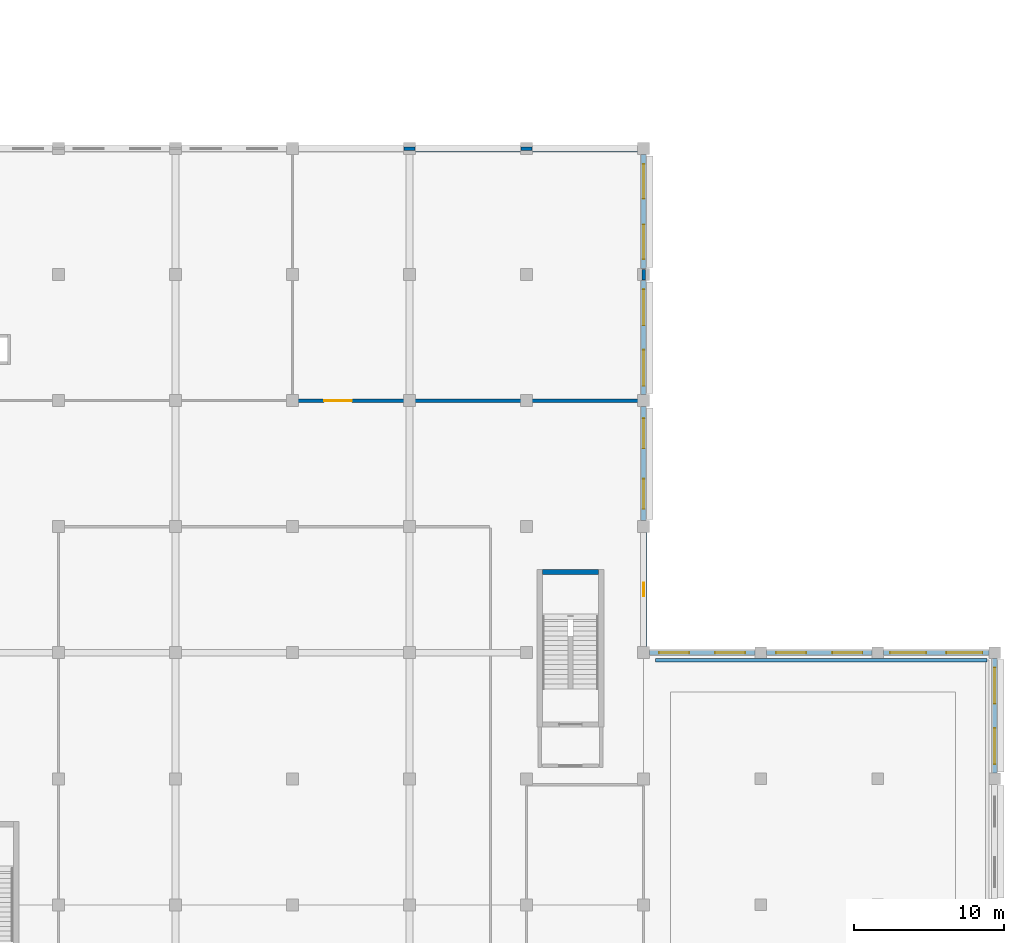
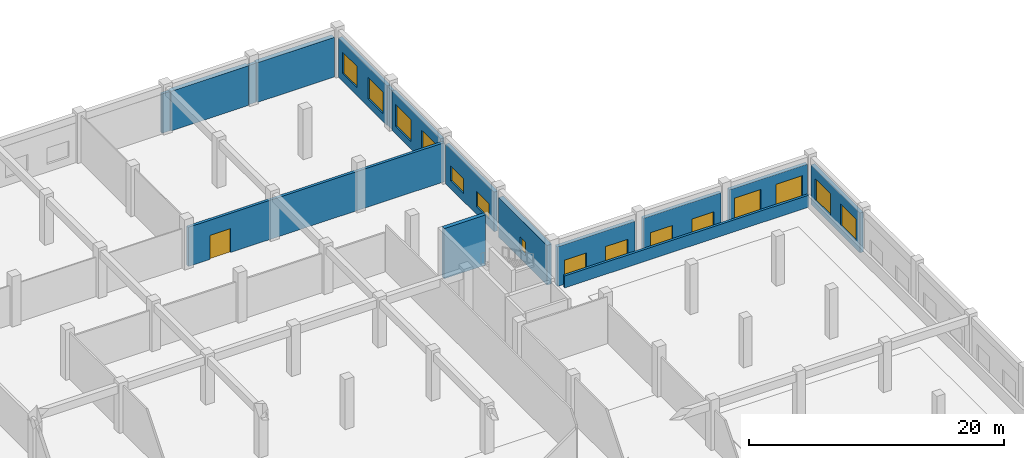
# One storey, part 51 of 62: 16 walls, 15 windows, 1 door, 16 openings.
"""IFC4 building model written with IfcOpenShell, lengths in metres."""

from ifc_helpers import new_model, si_unit, direction, frame, frame_2d, origin, place, context, subcontext, project, spatial, rectangle, extrude, material, layer, layer_set, type_object, element, fill, save


model = new_model("IFC4")

# Units and contexts
model_context = context("Model", 3, precision=1e-05, world=origin(), true_north=direction((0.0, 1.0)))
body_context = subcontext(model_context, "Body", "Model", "MODEL_VIEW")
ifc_project = project(units=[si_unit("LENGTHUNIT", "METRE"), si_unit("AREAUNIT", "SQUARE_METRE"), si_unit("VOLUMEUNIT", "CUBIC_METRE"), si_unit("PLANEANGLEUNIT", "RADIAN"), si_unit("MASSUNIT", "GRAM", prefix="KILO"), si_unit("THERMODYNAMICTEMPERATUREUNIT", "KELVIN"), si_unit("POWERUNIT", "WATT")], contexts=[model_context])

# Site, building, storey
site_placement = place(None, origin())
site = spatial("IfcSite", under=ifc_project, at=site_placement, CompositionType="ELEMENT")
building_placement = place(site_placement, origin())
building = spatial("IfcBuilding", under=site, at=building_placement, Name="Srebrne Nadtorze General Hospital", CompositionType="ELEMENT")
storey_placement = place(building_placement, frame((0.0, 0.0, 9.60009765625)))
storey = spatial("IfcBuildingStorey", under=building, at=storey_placement, Name="L02", CompositionType="ELEMENT", Elevation=9.60009765625)

# Walls
ifc_material_1 = material(Name="Concrete C40/50", Category="concrete")
ifc_layer_1 = layer(ifc_material_1, 0.419921875)
ifc_layer_set_1 = layer_set([ifc_layer_1], Name="Concrete C40/50")
wall_type_1 = type_object("IfcWallType", Name="Acoustic buffer wall 420", PredefinedType="SOLIDWALL", material=ifc_layer_set_1)
for number, where, z_axis, x_axis, name in (
    (1, (133.0, 109.199951171875, 0.0), (0.0, 0.0, 1.0), (1.0, 0.0, 0.0), "Exterior wall WL-ENV-L02-0234"),
    (2, (140.800048828125, 109.199951171875, 0.0), (0.0, 0.0, 1.0), (1.0, 0.0, 0.0), "Exterior wall WL-ENV-L02-0235"),
):
    element("IfcWall", number, at=place(storey_placement, frame(where, z_axis=z_axis, x_axis=x_axis)), inside=storey, type_object=wall_type_1, Name=name, PredefinedType="SOLIDWALL", context=body_context, shape_type="SweptSolid", body=[
        extrude(rectangle(XDim=7.0, YDim=0.419921875, at=frame_2d((3.5, 0.0))), origin(), (0.0, 0.0, 1.0), 3.7998046875),
    ])

# Wall, opening, window
wall_1_placement = place(storey_placement, frame((148.199951171875, 76.0, 0.0), z_axis=(0.0, 0.0, 1.0), x_axis=(0.0, 1.0, 0.0)))
wall_1 = element("IfcWall", 3, at=wall_1_placement, inside=storey, type_object=wall_type_1, Name="Exterior wall WL-ENV-L02-0273", PredefinedType="SOLIDWALL", context=body_context, shape_type="SweptSolid", body=[
    extrude(rectangle(XDim=7.60009765625, YDim=0.419921875, at=frame_2d((3.800048828125, 0.0))), origin(), (0.0, 0.0, 1.0), 3.7998046875),
])
opening_1_placement = place(wall_1_placement, frame((3.35009765625, 0.0, 0.75)))
opening_1 = element("IfcOpeningElement", 4, at=opening_1_placement, cuts=wall_1, Name="Opening WN-L02-0368", PredefinedType="OPENING", context=body_context, shape_type="SweptSolid", body=[
    extrude(rectangle(XDim=0.89990234375, YDim=1.300048828125, at=frame_2d((0.449951171875, 0.64990234375))), frame((0.0, 0.221923828125, 0.0), z_axis=(0.0, -1.0, 0.0), x_axis=(1.0, 0.0, 0.0)), (0.0, 0.0, 1.0), 0.44384765625),
])
ifc_material_2 = material(Name="Triple Low-E Glazing", Category="glass")
window_type_1 = type_object("IfcWindowType", Name="Punched clinical window 900x1300", PartitioningType="SINGLE_PANEL", PredefinedType="WINDOW", material=ifc_material_2)
window_1_placement = place(opening_1_placement, origin())
window_1 = element("IfcWindow", 5, at=window_1_placement, inside=storey, type_object=window_type_1, Name="Clinical window WN-L02-0368", OverallHeight=1.300048828125, OverallWidth=0.89990234375, PartitioningType="SINGLE_PANEL", PredefinedType="WINDOW", context=body_context, shape_type="SweptSolid", body=[
    extrude(rectangle(XDim=0.89990234375, YDim=1.300048828125, at=frame_2d((0.449951171875, 0.64990234375))), frame((0.0, 0.030029296875, 0.0), z_axis=(0.0, -1.0, 0.0), x_axis=(1.0, 0.0, 0.0)), (0.0, 0.0, 1.0), 0.06005859375),
])
fill(opening_1, window_1)

# Wall, opening, door
ifc_material_3 = material(Name="Gypsum Healthcare Partition")
ifc_layer_2 = layer(ifc_material_3, 0.239990234375)
ifc_layer_set_2 = layer_set([ifc_layer_2], Name="Gypsum Healthcare Partition")
wall_type_2 = type_object("IfcWallType", Name="Corridor fire wall 240", PredefinedType="STANDARD", material=ifc_layer_set_2)
wall_2_placement = place(storey_placement, frame((124.909912109375, 92.39990234375, 0.0), z_axis=(0.0, 0.0, 1.0), x_axis=(1.0, 0.0, 0.0)))
wall_2 = element("IfcWall", 6, at=wall_2_placement, inside=storey, type_object=wall_type_2, Name="Standby Boiler and Clean Steam Plant Room wall WL-INT-L02-1546", PredefinedType="STANDARD", context=body_context, shape_type="SweptSolid", body=[
    extrude(rectangle(XDim=23.18017578125, YDim=0.239990234375, at=frame_2d((11.590087890625, 0.0))), origin(), (0.0, 0.0, 1.0), 3.75),
])
opening_2_placement = place(wall_2_placement, frame((1.98583984375, 0.0, 0.0)))
opening_2 = element("IfcOpeningElement", 7, at=opening_2_placement, cuts=wall_2, Name="Opening D-L02-0250", PredefinedType="OPENING", context=body_context, shape_type="SweptSolid", body=[
    extrude(rectangle(XDim=1.85009765625, YDim=2.300048828125, at=frame_2d((0.925048828125, 1.14990234375))), frame((0.0, 0.1318359375, 0.0), z_axis=(0.0, -1.0, 0.0), x_axis=(1.0, 0.0, 0.0)), (0.0, 0.0, 1.0), 0.263916015625),
])
ifc_material_4 = material(Name="Anodised Aluminium", Category="aluminium")
door_type = type_object("IfcDoorType", Name="Double leaf door 1850x2300", OperationType="DOUBLE_DOOR_SINGLE_SWING", PredefinedType="DOOR", material=ifc_material_4)
door_placement = place(opening_2_placement, origin())
door = element("IfcDoor", 8, at=door_placement, inside=storey, type_object=door_type, Name="Standby Boiler and Clean Steam Plant Room door D-L02-0250", OperationType="DOUBLE_DOOR_SINGLE_SWING", OverallHeight=2.300048828125, OverallWidth=1.85009765625, PredefinedType="DOOR", context=body_context, shape_type="SweptSolid", body=[
    extrude(rectangle(XDim=1.85009765625, YDim=2.300048828125, at=frame_2d((0.925048828125, 1.14990234375))), frame((0.0, 0.02490234375, 0.0), z_axis=(0.0, -1.0, 0.0), x_axis=(1.0, 0.0, 0.0)), (0.0, 0.0, 1.0), 0.050048828125),
])
fill(opening_2, door)

# Walls
for number, where, z_axis, x_axis, name in (
    (9, (132.239990234375, 109.199951171875, 0.0), (0.0, 0.0, 1.0), (1.0, 0.0, 0.0), "Standby Boiler and Clean Steam Plant Room wall WL-INT-L02-1547"),
    (10, (140.0400390625, 109.199951171875, 0.0), (0.0, 0.0, 1.0), (1.0, 0.0, 0.0), "Standby Boiler and Clean Steam Plant Room wall WL-INT-L02-1548"),
    (11, (148.199951171875, 100.43994140625, 0.0), (0.0, 0.0, 1.0), (0.0, 1.0, 0.0), "Standby Boiler and Clean Steam Plant Room wall WL-INT-L02-1549"),
):
    element("IfcWall", number, at=place(storey_placement, frame(where, z_axis=z_axis, x_axis=x_axis)), inside=storey, type_object=wall_type_2, Name=name, PredefinedType="STANDARD", context=body_context, shape_type="SweptSolid", body=[
        extrude(rectangle(XDim=0.719970703125, YDim=0.239990234375, at=frame_2d((0.35986328125, 0.0))), origin(), (0.0, 0.0, 1.0), 3.75),
    ])
ifc_material_5 = material(Name="Concrete C35/45 precast", Category="concrete")
ifc_layer_3 = layer(ifc_material_5, 0.219970703125)
ifc_layer_set_3 = layer_set([ifc_layer_3], Name="Concrete C35/45 precast")
wall_type_3 = type_object("IfcWallType", Name="Roof parapet wall 220", PredefinedType="PARAPET", material=ifc_layer_set_3)
wall_3_placement = place(storey_placement, frame((149.0, 75.10009765625, 0.0), z_axis=(0.0, 0.0, 1.0), x_axis=(1.0, 0.0, 0.0)))
element("IfcWall", 12, at=wall_3_placement, inside=storey, type_object=wall_type_3, Name="Roof parapet wall WP-L02-06", PredefinedType="PARAPET", context=body_context, shape_type="SweptSolid", body=[
    extrude(rectangle(XDim=22.10009765625, YDim=0.219970703125, at=frame_2d((11.050048828125, 0.0))), origin(), (0.0, 0.0, 1.0), 1.14990234375),
])
ifc_material_6 = material(Name="Concrete C40/50", Category="concrete")
ifc_layer_4 = layer(ifc_material_6, 0.35009765625)
ifc_layer_set_4 = layer_set([ifc_layer_4], Name="Concrete C40/50")
wall_type_4 = type_object("IfcWallType", Name="Shear core wall 350", PredefinedType="SHEAR", material=ifc_layer_set_4)
wall_4_placement = place(storey_placement, frame((141.449951171875, 80.97509765625, 0.0), z_axis=(0.0, 0.0, 1.0), x_axis=(1.0, 0.0, 0.0)))
element("IfcWall", 13, at=wall_4_placement, inside=storey, type_object=wall_type_4, Name="Stair core wall ST-04 WL-INT-L02-0219", PredefinedType="SHEAR", context=body_context, shape_type="SweptSolid", body=[
    extrude(rectangle(XDim=3.75, YDim=0.35009765625, at=frame_2d((1.875, 0.0))), origin(), (0.0, 0.0, 1.0), 4.7998046875),
])

# Wall, openings, windows
ifc_material_7 = material(Name="Concrete C35/45", Category="concrete")
ifc_layer_5 = layer(ifc_material_7, 0.320068359375)
ifc_layer_set_5 = layer_set([ifc_layer_5], Name="Concrete C35/45")
wall_type_5 = type_object("IfcWallType", Name="Spandrel wall 320", PredefinedType="STANDARD", material=ifc_layer_set_5)
wall_5_placement = place(storey_placement, frame((148.60009765625, 75.60009765625, 0.0), z_axis=(0.0, 0.0, 1.0), x_axis=(1.0, 0.0, 0.0)))
wall_5 = element("IfcWall", 14, at=wall_5_placement, inside=storey, type_object=wall_type_5, Name="Exterior wall WL-ENV-L02-0223", PredefinedType="STANDARD", context=body_context, shape_type="SweptSolid", body=[
    extrude(rectangle(XDim=7.02490234375, YDim=0.320068359375, at=frame_2d((3.512451171875, 0.0))), origin(), (0.0, 0.0, 1.0), 3.7998046875),
])
opening_3_placement = place(wall_5_placement, frame((0.6279296875, 0.0, 0.75)))
opening_3 = element("IfcOpeningElement", 15, at=opening_3_placement, cuts=wall_5, Name="Opening WN-L02-0270", PredefinedType="OPENING", context=body_context, shape_type="SweptSolid", body=[
    extrude(rectangle(XDim=2.0, YDim=1.550048828125, at=frame_2d((1.0, 0.77490234375))), frame((0.0, 0.171875, 0.0), z_axis=(0.0, -1.0, 0.0), x_axis=(1.0, 0.0, 0.0)), (0.0, 0.0, 1.0), 0.343994140625),
])
opening_4_placement = place(wall_5_placement, frame((4.3720703125, 0.0, 0.75)))
opening_4 = element("IfcOpeningElement", 16, at=opening_4_placement, cuts=wall_5, Name="Opening WN-L02-0271", PredefinedType="OPENING", context=body_context, shape_type="SweptSolid", body=[
    extrude(rectangle(XDim=2.0, YDim=1.550048828125, at=frame_2d((1.0, 0.77490234375))), frame((0.0, 0.171875, 0.0), z_axis=(0.0, -1.0, 0.0), x_axis=(1.0, 0.0, 0.0)), (0.0, 0.0, 1.0), 0.343994140625),
])
ifc_material_8 = material(Name="Triple Low-E Glazing", Category="glass")
window_type_2 = type_object("IfcWindowType", Name="Punched clinical window 2000x1550", PartitioningType="DOUBLE_PANEL_VERTICAL", PredefinedType="WINDOW", material=ifc_material_8)
window_2_placement = place(opening_3_placement, origin())
window_2 = element("IfcWindow", 17, at=window_2_placement, inside=storey, type_object=window_type_2, Name="Clinical window WN-L02-0270", OverallHeight=1.550048828125, OverallWidth=2.0, PartitioningType="DOUBLE_PANEL_VERTICAL", PredefinedType="WINDOW", context=body_context, shape_type="SweptSolid", body=[
    extrude(rectangle(XDim=2.0, YDim=1.550048828125, at=frame_2d((1.0, 0.77490234375))), frame((0.0, 0.030029296875, 0.0), z_axis=(0.0, -1.0, 0.0), x_axis=(1.0, 0.0, 0.0)), (0.0, 0.0, 1.0), 0.06005859375),
])
fill(opening_3, window_2)
window_3_placement = place(opening_4_placement, origin())
window_3 = element("IfcWindow", 18, at=window_3_placement, inside=storey, type_object=window_type_2, Name="Clinical window WN-L02-0271", OverallHeight=1.550048828125, OverallWidth=2.0, PartitioningType="DOUBLE_PANEL_VERTICAL", PredefinedType="WINDOW", context=body_context, shape_type="SweptSolid", body=[
    extrude(rectangle(XDim=2.0, YDim=1.550048828125, at=frame_2d((1.0, 0.77490234375))), frame((0.0, 0.030029296875, 0.0), z_axis=(0.0, -1.0, 0.0), x_axis=(1.0, 0.0, 0.0)), (0.0, 0.0, 1.0), 0.06005859375),
])
fill(opening_4, window_3)

wall_6_placement = place(storey_placement, frame((156.375, 75.60009765625, 0.0), z_axis=(0.0, 0.0, 1.0), x_axis=(1.0, 0.0, 0.0)))
wall_6 = element("IfcWall", 19, at=wall_6_placement, inside=storey, type_object=wall_type_5, Name="Exterior wall WL-ENV-L02-0224", PredefinedType="STANDARD", context=body_context, shape_type="SweptSolid", body=[
    extrude(rectangle(XDim=7.050048828125, YDim=0.320068359375, at=frame_2d((3.52490234375, 0.0))), origin(), (0.0, 0.0, 1.0), 3.7998046875),
])
opening_5_placement = place(wall_6_placement, frame((0.653076171875, 0.0, 0.75)))
opening_5 = element("IfcOpeningElement", 20, at=opening_5_placement, cuts=wall_6, Name="Opening WN-L02-0272", PredefinedType="OPENING", context=body_context, shape_type="SweptSolid", body=[
    extrude(rectangle(XDim=2.0, YDim=1.449951171875, at=frame_2d((1.0, 0.72509765625))), frame((0.0, 0.171875, 0.0), z_axis=(0.0, -1.0, 0.0), x_axis=(1.0, 0.0, 0.0)), (0.0, 0.0, 1.0), 0.343994140625),
])
opening_6_placement = place(wall_6_placement, frame((4.39697265625, 0.0, 0.75)))
opening_6 = element("IfcOpeningElement", 21, at=opening_6_placement, cuts=wall_6, Name="Opening WN-L02-0273", PredefinedType="OPENING", context=body_context, shape_type="SweptSolid", body=[
    extrude(rectangle(XDim=2.0, YDim=1.449951171875, at=frame_2d((1.0, 0.72509765625))), frame((0.0, 0.171875, 0.0), z_axis=(0.0, -1.0, 0.0), x_axis=(1.0, 0.0, 0.0)), (0.0, 0.0, 1.0), 0.343994140625),
])
ifc_material_9 = material(Name="Triple Low-E Glazing", Category="glass")
window_type_3 = type_object("IfcWindowType", Name="Punched clinical window 2000x1450", PartitioningType="DOUBLE_PANEL_VERTICAL", PredefinedType="WINDOW", material=ifc_material_9)
window_4_placement = place(opening_5_placement, origin())
window_4 = element("IfcWindow", 22, at=window_4_placement, inside=storey, type_object=window_type_3, Name="Clinical window WN-L02-0272", OverallHeight=1.449951171875, OverallWidth=2.0, PartitioningType="DOUBLE_PANEL_VERTICAL", PredefinedType="WINDOW", context=body_context, shape_type="SweptSolid", body=[
    extrude(rectangle(XDim=2.0, YDim=1.449951171875, at=frame_2d((1.0, 0.72509765625))), frame((0.0, 0.030029296875, 0.0), z_axis=(0.0, -1.0, 0.0), x_axis=(1.0, 0.0, 0.0)), (0.0, 0.0, 1.0), 0.06005859375),
])
fill(opening_5, window_4)
window_5_placement = place(opening_6_placement, origin())
window_5 = element("IfcWindow", 23, at=window_5_placement, inside=storey, type_object=window_type_3, Name="Clinical window WN-L02-0273", OverallHeight=1.449951171875, OverallWidth=2.0, PartitioningType="DOUBLE_PANEL_VERTICAL", PredefinedType="WINDOW", context=body_context, shape_type="SweptSolid", body=[
    extrude(rectangle(XDim=2.0, YDim=1.449951171875, at=frame_2d((1.0, 0.72509765625))), frame((0.0, 0.030029296875, 0.0), z_axis=(0.0, -1.0, 0.0), x_axis=(1.0, 0.0, 0.0)), (0.0, 0.0, 1.0), 0.06005859375),
])
fill(opening_6, window_5)

wall_7_placement = place(storey_placement, frame((164.175048828125, 75.60009765625, 0.0), z_axis=(0.0, 0.0, 1.0), x_axis=(1.0, 0.0, 0.0)))
wall_7 = element("IfcWall", 24, at=wall_7_placement, inside=storey, type_object=wall_type_5, Name="Exterior wall WL-ENV-L02-0225", PredefinedType="STANDARD", context=body_context, shape_type="SweptSolid", body=[
    extrude(rectangle(XDim=7.050048828125, YDim=0.320068359375, at=frame_2d((3.52490234375, 0.0))), origin(), (0.0, 0.0, 1.0), 3.7998046875),
])
opening_7_placement = place(wall_7_placement, frame((0.452880859375, 0.0, 0.75)))
opening_7 = element("IfcOpeningElement", 25, at=opening_7_placement, cuts=wall_7, Name="Opening WN-L02-0274", PredefinedType="OPENING", context=body_context, shape_type="SweptSolid", body=[
    extrude(rectangle(XDim=2.39990234375, YDim=2.10009765625, at=frame_2d((1.199951171875, 1.050048828125))), frame((0.0, 0.171875, 0.0), z_axis=(0.0, -1.0, 0.0), x_axis=(1.0, 0.0, 0.0)), (0.0, 0.0, 1.0), 0.343994140625),
])
opening_8_placement = place(wall_7_placement, frame((4.197021484375, 0.0, 0.75)))
opening_8 = element("IfcOpeningElement", 26, at=opening_8_placement, cuts=wall_7, Name="Opening WN-L02-0275", PredefinedType="OPENING", context=body_context, shape_type="SweptSolid", body=[
    extrude(rectangle(XDim=2.39990234375, YDim=2.10009765625, at=frame_2d((1.199951171875, 1.050048828125))), frame((0.0, 0.171875, 0.0), z_axis=(0.0, -1.0, 0.0), x_axis=(1.0, 0.0, 0.0)), (0.0, 0.0, 1.0), 0.343994140625),
])
ifc_material_10 = material(Name="Triple Low-E Glazing", Category="glass")
window_type_4 = type_object("IfcWindowType", Name="Punched clinical window 2400x2100", PartitioningType="DOUBLE_PANEL_VERTICAL", PredefinedType="WINDOW", material=ifc_material_10)
window_6_placement = place(opening_7_placement, origin())
window_6 = element("IfcWindow", 27, at=window_6_placement, inside=storey, type_object=window_type_4, Name="Clinical window WN-L02-0274", OverallHeight=2.10009765625, OverallWidth=2.39990234375, PartitioningType="DOUBLE_PANEL_VERTICAL", PredefinedType="WINDOW", context=body_context, shape_type="SweptSolid", body=[
    extrude(rectangle(XDim=2.39990234375, YDim=2.10009765625, at=frame_2d((1.199951171875, 1.050048828125))), frame((0.0, 0.030029296875, 0.0), z_axis=(0.0, -1.0, 0.0), x_axis=(1.0, 0.0, 0.0)), (0.0, 0.0, 1.0), 0.06005859375),
])
fill(opening_7, window_6)
window_7_placement = place(opening_8_placement, origin())
window_7 = element("IfcWindow", 28, at=window_7_placement, inside=storey, type_object=window_type_4, Name="Clinical window WN-L02-0275", OverallHeight=2.10009765625, OverallWidth=2.39990234375, PartitioningType="DOUBLE_PANEL_VERTICAL", PredefinedType="WINDOW", context=body_context, shape_type="SweptSolid", body=[
    extrude(rectangle(XDim=2.39990234375, YDim=2.10009765625, at=frame_2d((1.199951171875, 1.050048828125))), frame((0.0, 0.030029296875, 0.0), z_axis=(0.0, -1.0, 0.0), x_axis=(1.0, 0.0, 0.0)), (0.0, 0.0, 1.0), 0.06005859375),
])
fill(opening_8, window_7)

wall_8_placement = place(storey_placement, frame((148.199951171875, 84.39990234375, 0.0), z_axis=(0.0, 0.0, 1.0), x_axis=(0.0, 1.0, 0.0)))
wall_8 = element("IfcWall", 29, at=wall_8_placement, inside=storey, type_object=wall_type_5, Name="Exterior wall WL-ENV-L02-0274", PredefinedType="STANDARD", context=body_context, shape_type="SweptSolid", body=[
    extrude(rectangle(XDim=7.60009765625, YDim=0.320068359375, at=frame_2d((3.800048828125, 0.0))), origin(), (0.0, 0.0, 1.0), 3.7998046875),
])
opening_9_placement = place(wall_8_placement, frame((0.783935546875, 0.0, 0.75)))
opening_9 = element("IfcOpeningElement", 30, at=opening_9_placement, cuts=wall_8, Name="Opening WN-L02-0369", PredefinedType="OPENING", context=body_context, shape_type="SweptSolid", body=[
    extrude(rectangle(XDim=2.0, YDim=1.449951171875, at=frame_2d((1.0, 0.72509765625))), frame((0.0, 0.171875, 0.0), z_axis=(0.0, -1.0, 0.0), x_axis=(1.0, 0.0, 0.0)), (0.0, 0.0, 1.0), 0.343994140625),
])
opening_10_placement = place(wall_8_placement, frame((4.81591796875, 0.0, 0.75)))
opening_10 = element("IfcOpeningElement", 31, at=opening_10_placement, cuts=wall_8, Name="Opening WN-L02-0370", PredefinedType="OPENING", context=body_context, shape_type="SweptSolid", body=[
    extrude(rectangle(XDim=2.0, YDim=1.449951171875, at=frame_2d((1.0, 0.72509765625))), frame((0.0, 0.171875, 0.0), z_axis=(0.0, -1.0, 0.0), x_axis=(1.0, 0.0, 0.0)), (0.0, 0.0, 1.0), 0.343994140625),
])
window_8_placement = place(opening_9_placement, origin())
window_8 = element("IfcWindow", 32, at=window_8_placement, inside=storey, type_object=window_type_3, Name="Clinical window WN-L02-0369", OverallHeight=1.449951171875, OverallWidth=2.0, PartitioningType="DOUBLE_PANEL_VERTICAL", PredefinedType="WINDOW", context=body_context, shape_type="SweptSolid", body=[
    extrude(rectangle(XDim=2.0, YDim=1.449951171875, at=frame_2d((1.0, 0.72509765625))), frame((0.0, 0.030029296875, 0.0), z_axis=(0.0, -1.0, 0.0), x_axis=(1.0, 0.0, 0.0)), (0.0, 0.0, 1.0), 0.06005859375),
])
fill(opening_9, window_8)
window_9_placement = place(opening_10_placement, origin())
window_9 = element("IfcWindow", 33, at=window_9_placement, inside=storey, type_object=window_type_3, Name="Clinical window WN-L02-0370", OverallHeight=1.449951171875, OverallWidth=2.0, PartitioningType="DOUBLE_PANEL_VERTICAL", PredefinedType="WINDOW", context=body_context, shape_type="SweptSolid", body=[
    extrude(rectangle(XDim=2.0, YDim=1.449951171875, at=frame_2d((1.0, 0.72509765625))), frame((0.0, 0.030029296875, 0.0), z_axis=(0.0, -1.0, 0.0), x_axis=(1.0, 0.0, 0.0)), (0.0, 0.0, 1.0), 0.06005859375),
])
fill(opening_10, window_9)

wall_9_placement = place(storey_placement, frame((148.199951171875, 92.800048828125, 0.0), z_axis=(0.0, 0.0, 1.0), x_axis=(0.0, 1.0, 0.0)))
wall_9 = element("IfcWall", 34, at=wall_9_placement, inside=storey, type_object=wall_type_5, Name="Exterior wall WL-ENV-L02-0275", PredefinedType="STANDARD", context=body_context, shape_type="SweptSolid", body=[
    extrude(rectangle(XDim=7.599853515625, YDim=0.320068359375, at=frame_2d((3.7998046875, 0.0))), origin(), (0.0, 0.0, 1.0), 3.7998046875),
])
opening_11_placement = place(wall_9_placement, frame((0.583984375, 0.0, 0.75)))
opening_11 = element("IfcOpeningElement", 35, at=opening_11_placement, cuts=wall_9, Name="Opening WN-L02-0371", PredefinedType="OPENING", context=body_context, shape_type="SweptSolid", body=[
    extrude(rectangle(XDim=2.39990234375, YDim=2.10009765625, at=frame_2d((1.199951171875, 1.050048828125))), frame((0.0, 0.171875, 0.0), z_axis=(0.0, -1.0, 0.0), x_axis=(1.0, 0.0, 0.0)), (0.0, 0.0, 1.0), 0.343994140625),
])
opening_12_placement = place(wall_9_placement, frame((4.615966796875, 0.0, 0.75)))
opening_12 = element("IfcOpeningElement", 36, at=opening_12_placement, cuts=wall_9, Name="Opening WN-L02-0372", PredefinedType="OPENING", context=body_context, shape_type="SweptSolid", body=[
    extrude(rectangle(XDim=2.39990234375, YDim=2.10009765625, at=frame_2d((1.199951171875, 1.050048828125))), frame((0.0, 0.171875, 0.0), z_axis=(0.0, -1.0, 0.0), x_axis=(1.0, 0.0, 0.0)), (0.0, 0.0, 1.0), 0.343994140625),
])
window_10_placement = place(opening_11_placement, origin())
window_10 = element("IfcWindow", 37, at=window_10_placement, inside=storey, type_object=window_type_4, Name="Clinical window WN-L02-0371", OverallHeight=2.10009765625, OverallWidth=2.39990234375, PartitioningType="DOUBLE_PANEL_VERTICAL", PredefinedType="WINDOW", context=body_context, shape_type="SweptSolid", body=[
    extrude(rectangle(XDim=2.39990234375, YDim=2.10009765625, at=frame_2d((1.199951171875, 1.050048828125))), frame((0.0, 0.030029296875, 0.0), z_axis=(0.0, -1.0, 0.0), x_axis=(1.0, 0.0, 0.0)), (0.0, 0.0, 1.0), 0.06005859375),
])
fill(opening_11, window_10)
window_11_placement = place(opening_12_placement, origin())
window_11 = element("IfcWindow", 38, at=window_11_placement, inside=storey, type_object=window_type_4, Name="Clinical window WN-L02-0372", OverallHeight=2.10009765625, OverallWidth=2.39990234375, PartitioningType="DOUBLE_PANEL_VERTICAL", PredefinedType="WINDOW", context=body_context, shape_type="SweptSolid", body=[
    extrude(rectangle(XDim=2.39990234375, YDim=2.10009765625, at=frame_2d((1.199951171875, 1.050048828125))), frame((0.0, 0.030029296875, 0.0), z_axis=(0.0, -1.0, 0.0), x_axis=(1.0, 0.0, 0.0)), (0.0, 0.0, 1.0), 0.06005859375),
])
fill(opening_12, window_11)

wall_10_placement = place(storey_placement, frame((148.199951171875, 101.199951171875, 0.0), z_axis=(0.0, 0.0, 1.0), x_axis=(0.0, 1.0, 0.0)))
wall_10 = element("IfcWall", 39, at=wall_10_placement, inside=storey, type_object=wall_type_5, Name="Exterior wall WL-ENV-L02-0276", PredefinedType="STANDARD", context=body_context, shape_type="SweptSolid", body=[
    extrude(rectangle(XDim=7.60009765625, YDim=0.320068359375, at=frame_2d((3.800048828125, 0.0))), origin(), (0.0, 0.0, 1.0), 3.7998046875),
])
opening_13_placement = place(wall_10_placement, frame((0.634033203125, 0.0, 0.75)))
opening_13 = element("IfcOpeningElement", 40, at=opening_13_placement, cuts=wall_10, Name="Opening WN-L02-0373", PredefinedType="OPENING", context=body_context, shape_type="SweptSolid", body=[
    extrude(rectangle(XDim=2.300048828125, YDim=2.050048828125, at=frame_2d((1.14990234375, 1.02490234375))), frame((0.0, 0.171875, 0.0), z_axis=(0.0, -1.0, 0.0), x_axis=(1.0, 0.0, 0.0)), (0.0, 0.0, 1.0), 0.343994140625),
])
opening_14_placement = place(wall_10_placement, frame((4.666015625, 0.0, 0.75)))
opening_14 = element("IfcOpeningElement", 41, at=opening_14_placement, cuts=wall_10, Name="Opening WN-L02-0374", PredefinedType="OPENING", context=body_context, shape_type="SweptSolid", body=[
    extrude(rectangle(XDim=2.300048828125, YDim=2.050048828125, at=frame_2d((1.14990234375, 1.02490234375))), frame((0.0, 0.171875, 0.0), z_axis=(0.0, -1.0, 0.0), x_axis=(1.0, 0.0, 0.0)), (0.0, 0.0, 1.0), 0.343994140625),
])
ifc_material_11 = material(Name="Triple Low-E Glazing", Category="glass")
window_type_5 = type_object("IfcWindowType", Name="Punched clinical window 2300x2050", PartitioningType="DOUBLE_PANEL_VERTICAL", PredefinedType="WINDOW", material=ifc_material_11)
window_12_placement = place(opening_13_placement, origin())
window_12 = element("IfcWindow", 42, at=window_12_placement, inside=storey, type_object=window_type_5, Name="Clinical window WN-L02-0373", OverallHeight=2.050048828125, OverallWidth=2.300048828125, PartitioningType="DOUBLE_PANEL_VERTICAL", PredefinedType="WINDOW", context=body_context, shape_type="SweptSolid", body=[
    extrude(rectangle(XDim=2.300048828125, YDim=2.050048828125, at=frame_2d((1.14990234375, 1.02490234375))), frame((0.0, 0.030029296875, 0.0), z_axis=(0.0, -1.0, 0.0), x_axis=(1.0, 0.0, 0.0)), (0.0, 0.0, 1.0), 0.06005859375),
])
fill(opening_13, window_12)
window_13_placement = place(opening_14_placement, origin())
window_13 = element("IfcWindow", 43, at=window_13_placement, inside=storey, type_object=window_type_5, Name="Clinical window WN-L02-0374", OverallHeight=2.050048828125, OverallWidth=2.300048828125, PartitioningType="DOUBLE_PANEL_VERTICAL", PredefinedType="WINDOW", context=body_context, shape_type="SweptSolid", body=[
    extrude(rectangle(XDim=2.300048828125, YDim=2.050048828125, at=frame_2d((1.14990234375, 1.02490234375))), frame((0.0, 0.030029296875, 0.0), z_axis=(0.0, -1.0, 0.0), x_axis=(1.0, 0.0, 0.0)), (0.0, 0.0, 1.0), 0.06005859375),
])
fill(opening_14, window_13)

wall_11_placement = place(storey_placement, frame((171.60009765625, 67.574951171875, 0.0), z_axis=(0.0, 0.0, 1.0), x_axis=(0.0, 1.0, 0.0)))
wall_11 = element("IfcWall", 44, at=wall_11_placement, inside=storey, type_object=wall_type_5, Name="Exterior wall WL-ENV-L02-0281", PredefinedType="STANDARD", context=body_context, shape_type="SweptSolid", body=[
    extrude(rectangle(XDim=7.650146484375, YDim=0.320068359375, at=frame_2d((3.8251953125, 0.0))), origin(), (0.0, 0.0, 1.0), 3.7998046875),
])
opening_15_placement = place(wall_11_placement, frame((0.60888671875, 0.0, 0.75)))
opening_15 = element("IfcOpeningElement", 45, at=opening_15_placement, cuts=wall_11, Name="Opening WN-L02-0383", PredefinedType="OPENING", context=body_context, shape_type="SweptSolid", body=[
    extrude(rectangle(XDim=2.39990234375, YDim=2.10009765625, at=frame_2d((1.199951171875, 1.050048828125))), frame((0.0, 0.171875, 0.0), z_axis=(0.0, -1.0, 0.0), x_axis=(1.0, 0.0, 0.0)), (0.0, 0.0, 1.0), 0.343994140625),
])
opening_16_placement = place(wall_11_placement, frame((4.64111328125, 0.0, 0.75)))
opening_16 = element("IfcOpeningElement", 46, at=opening_16_placement, cuts=wall_11, Name="Opening WN-L02-0384", PredefinedType="OPENING", context=body_context, shape_type="SweptSolid", body=[
    extrude(rectangle(XDim=2.39990234375, YDim=2.10009765625, at=frame_2d((1.199951171875, 1.050048828125))), frame((0.0, 0.171875, 0.0), z_axis=(0.0, -1.0, 0.0), x_axis=(1.0, 0.0, 0.0)), (0.0, 0.0, 1.0), 0.343994140625),
])
window_14_placement = place(opening_15_placement, origin())
window_14 = element("IfcWindow", 47, at=window_14_placement, inside=storey, type_object=window_type_4, Name="Clinical window WN-L02-0383", OverallHeight=2.10009765625, OverallWidth=2.39990234375, PartitioningType="DOUBLE_PANEL_VERTICAL", PredefinedType="WINDOW", context=body_context, shape_type="SweptSolid", body=[
    extrude(rectangle(XDim=2.39990234375, YDim=2.10009765625, at=frame_2d((1.199951171875, 1.050048828125))), frame((0.0, 0.030029296875, 0.0), z_axis=(0.0, -1.0, 0.0), x_axis=(1.0, 0.0, 0.0)), (0.0, 0.0, 1.0), 0.06005859375),
])
fill(opening_15, window_14)
window_15_placement = place(opening_16_placement, origin())
window_15 = element("IfcWindow", 48, at=window_15_placement, inside=storey, type_object=window_type_4, Name="Clinical window WN-L02-0384", OverallHeight=2.10009765625, OverallWidth=2.39990234375, PartitioningType="DOUBLE_PANEL_VERTICAL", PredefinedType="WINDOW", context=body_context, shape_type="SweptSolid", body=[
    extrude(rectangle(XDim=2.39990234375, YDim=2.10009765625, at=frame_2d((1.199951171875, 1.050048828125))), frame((0.0, 0.030029296875, 0.0), z_axis=(0.0, -1.0, 0.0), x_axis=(1.0, 0.0, 0.0)), (0.0, 0.0, 1.0), 0.06005859375),
])
fill(opening_16, window_15)

save(model, "model.ifc")
